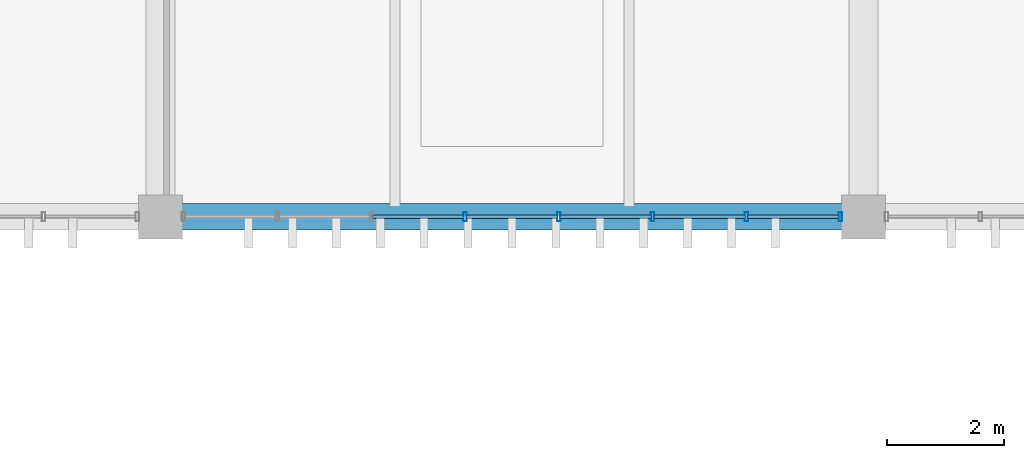
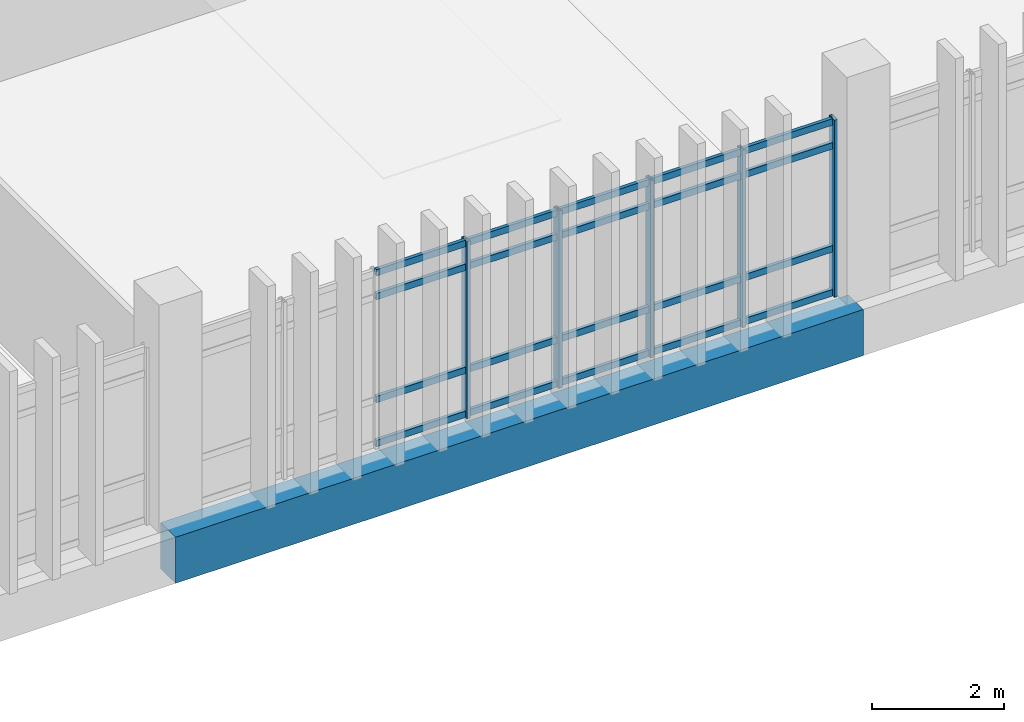
# One storey, part 75 of 161: 25 members, 1 beam, 1 element without a shape of its own.
"""IFC4 building model written with IfcOpenShell, lengths in metres."""

from ifc_helpers import new_model, si_unit, direction, frame, origin, origin_2d, place, context, subcontext, project, spatial, rectangle, hollow_rectangle, extrude, material, layer, layer_set, material_profile, profile_set, type_object, element, aggregate, save


model = new_model("IFC4")

# Units and contexts
model_context = context("Model", 3, precision=1e-05, world=origin(), true_north=direction((0.0, 1.0)))
body_context = subcontext(model_context, "Body", "Model", "MODEL_VIEW")
ifc_project = project(units=[si_unit("LENGTHUNIT", "METRE"), si_unit("AREAUNIT", "SQUARE_METRE"), si_unit("VOLUMEUNIT", "CUBIC_METRE"), si_unit("PLANEANGLEUNIT", "RADIAN"), si_unit("MASSUNIT", "GRAM", prefix="KILO")], contexts=[model_context])

# Site, building, storey
site_placement = place(None, origin())
site = spatial("IfcSite", under=ifc_project, at=site_placement, CompositionType="ELEMENT")
building_placement = place(site_placement, origin())
building = spatial("IfcBuilding", under=site, at=building_placement, Name="Mersad Railyard Sports Hall", CompositionType="ELEMENT")
storey_placement = place(building_placement, frame((0.0, 0.0, 4.800048828125)))
storey = spatial("IfcBuildingStorey", under=building, at=storey_placement, Name="L01", CompositionType="ELEMENT", Elevation=4.800048828125)

# Curtain wall, members
ifc_material_1 = material(Name="Aluminium 6063-T6", Category="aluminium")
ifc_layer = layer(ifc_material_1, 0.159912109375)
ifc_layer_set = layer_set([ifc_layer], Name="Aluminium 6063-T6")
curtain_wall_type = type_object("IfcCurtainWallType", Name="ARC-CW-CW37", PredefinedType="USERDEFINED", material=ifc_layer_set)
curtain_wall_placement = place(storey_placement, origin())
curtain_wall = element("IfcCurtainWall", 1, at=curtain_wall_placement, inside=storey, type_object=curtain_wall_type, Name="Curtain wall CW37-0106", ObjectType="CURTAIN WALL", PredefinedType="USERDEFINED")
ifc_material_profile_1 = material_profile(ifc_material_1, hollow_rectangle(XDim=0.06005859375, YDim=0.159912109375, WallThickness=0.00390625, at=origin_2d()), Name="AL MULLION 60x160x4")
ifc_profile_set_1 = profile_set([ifc_material_profile_1], Name="Aluminium 6063-T6")
member_type_1 = type_object("IfcMemberType", Name="ARC-CW-MUL01", PredefinedType="MULLION", material=ifc_profile_set_1)
member_1_placement = place(storey_placement, frame((78.60498046875, 85.0, -0.02001953125), z_axis=(0.0, 0.0, 1.0), x_axis=(1.0, 0.0, 0.0)))
member_1 = element("IfcMember", 2, at=member_1_placement, type_object=member_type_1, Name="CW37 Mullion 1", PredefinedType="MULLION", context=body_context, shape_type="SweptSolid", body=[
    extrude(hollow_rectangle(XDim=0.06005859375, YDim=0.159912109375, WallThickness=0.00390625, at=origin_2d()), origin(), (0.0, 0.0, 1.0), 3.27001953125),
])
member_2_placement = place(storey_placement, frame((77.003662109375, 85.0, -0.02001953125), z_axis=(0.0, 0.0, 1.0), x_axis=(1.0, 0.0, 0.0)))
member_2 = element("IfcMember", 3, at=member_2_placement, type_object=member_type_1, Name="CW37 Mullion 2", PredefinedType="MULLION", context=body_context, shape_type="SweptSolid", body=[
    extrude(hollow_rectangle(XDim=0.06005859375, YDim=0.159912109375, WallThickness=0.00390625, at=origin_2d()), origin(), (0.0, 0.0, 1.0), 3.27001953125),
])
member_3_placement = place(storey_placement, frame((75.402099609375, 85.0, -0.02001953125), z_axis=(0.0, 0.0, 1.0), x_axis=(1.0, 0.0, 0.0)))
member_3 = element("IfcMember", 4, at=member_3_placement, type_object=member_type_1, Name="CW37 Mullion 3", PredefinedType="MULLION", context=body_context, shape_type="SweptSolid", body=[
    extrude(hollow_rectangle(XDim=0.06005859375, YDim=0.159912109375, WallThickness=0.00390625, at=origin_2d()), origin(), (0.0, 0.0, 1.0), 3.27001953125),
])
member_4_placement = place(storey_placement, frame((73.80078125, 85.0, -0.02001953125), z_axis=(0.0, 0.0, 1.0), x_axis=(1.0, 0.0, 0.0)))
member_4 = element("IfcMember", 5, at=member_4_placement, type_object=member_type_1, Name="CW37 Mullion 4", PredefinedType="MULLION", context=body_context, shape_type="SweptSolid", body=[
    extrude(hollow_rectangle(XDim=0.06005859375, YDim=0.159912109375, WallThickness=0.00390625, at=origin_2d()), origin(), (0.0, 0.0, 1.0), 3.27001953125),
])
member_5_placement = place(storey_placement, frame((72.19921875, 85.0, -0.02001953125), z_axis=(0.0, 0.0, 1.0), x_axis=(1.0, 0.0, 0.0)))
member_5 = element("IfcMember", 6, at=member_5_placement, type_object=member_type_1, Name="CW37 Mullion 5", PredefinedType="MULLION", context=body_context, shape_type="SweptSolid", body=[
    extrude(hollow_rectangle(XDim=0.06005859375, YDim=0.159912109375, WallThickness=0.00390625, at=origin_2d()), origin(), (0.0, 0.0, 1.0), 3.27001953125),
])
ifc_material_profile_2 = material_profile(ifc_material_1, hollow_rectangle(XDim=0.06005859375, YDim=0.1201171875, WallThickness=0.00390625, at=origin_2d()), Name="AL TRANSOM 60x120x4")
ifc_profile_set_2 = profile_set([ifc_material_profile_2], Name="Aluminium 6063-T6")
member_type_2 = type_object("IfcMemberType", Name="ARC-CW-TRN01", PredefinedType="USERDEFINED", material=ifc_profile_set_2)
member_6_placement = place(storey_placement, frame((78.5849609375, 85.0, 0.0400390625), z_axis=(-1.0, 0.0, 0.0), x_axis=(0.0, -1.0, 0.0)))
member_6 = element("IfcMember", 7, at=member_6_placement, type_object=member_type_2, Name="CW37 Transom 1-1", ObjectType="TRANSOM", PredefinedType="USERDEFINED", context=body_context, shape_type="SweptSolid", body=[
    extrude(hollow_rectangle(XDim=0.06005859375, YDim=0.1201171875, WallThickness=0.00390625, at=origin_2d()), origin(), (0.0, 0.0, 1.0), 1.561279296875),
])
member_7_placement = place(storey_placement, frame((76.983642578125, 85.0, 0.0400390625), z_axis=(-1.0, 0.0, 0.0), x_axis=(0.0, -1.0, 0.0)))
member_7 = element("IfcMember", 8, at=member_7_placement, type_object=member_type_2, Name="CW37 Transom 1-2", ObjectType="TRANSOM", PredefinedType="USERDEFINED", context=body_context, shape_type="SweptSolid", body=[
    extrude(hollow_rectangle(XDim=0.06005859375, YDim=0.1201171875, WallThickness=0.00390625, at=origin_2d()), origin(), (0.0, 0.0, 1.0), 1.5615234375),
])
member_8_placement = place(storey_placement, frame((75.382080078125, 85.0, 0.0400390625), z_axis=(-1.0, 0.0, 0.0), x_axis=(0.0, -1.0, 0.0)))
member_8 = element("IfcMember", 9, at=member_8_placement, type_object=member_type_2, Name="CW37 Transom 1-3", ObjectType="TRANSOM", PredefinedType="USERDEFINED", context=body_context, shape_type="SweptSolid", body=[
    extrude(hollow_rectangle(XDim=0.06005859375, YDim=0.1201171875, WallThickness=0.00390625, at=origin_2d()), origin(), (0.0, 0.0, 1.0), 1.561279296875),
])
member_9_placement = place(storey_placement, frame((73.78076171875, 85.0, 0.0400390625), z_axis=(-1.0, 0.0, 0.0), x_axis=(0.0, -1.0, 0.0)))
member_9 = element("IfcMember", 10, at=member_9_placement, type_object=member_type_2, Name="CW37 Transom 1-4", ObjectType="TRANSOM", PredefinedType="USERDEFINED", context=body_context, shape_type="SweptSolid", body=[
    extrude(hollow_rectangle(XDim=0.06005859375, YDim=0.1201171875, WallThickness=0.00390625, at=origin_2d()), origin(), (0.0, 0.0, 1.0), 1.5615234375),
])
member_10_placement = place(storey_placement, frame((72.17919921875, 85.0, 0.0400390625), z_axis=(-1.0, 0.0, 0.0), x_axis=(0.0, -1.0, 0.0)))
member_10 = element("IfcMember", 11, at=member_10_placement, type_object=member_type_2, Name="CW37 Transom 1-5", ObjectType="TRANSOM", PredefinedType="USERDEFINED", context=body_context, shape_type="SweptSolid", body=[
    extrude(hollow_rectangle(XDim=0.06005859375, YDim=0.1201171875, WallThickness=0.00390625, at=origin_2d()), origin(), (0.0, 0.0, 1.0), 1.561279296875),
])
member_11_placement = place(storey_placement, frame((78.5849609375, 85.0, 0.849853515625), z_axis=(-1.0, 0.0, 0.0), x_axis=(0.0, -1.0, 0.0)))
member_11 = element("IfcMember", 12, at=member_11_placement, type_object=member_type_2, Name="CW37 Transom 2-1", ObjectType="TRANSOM", PredefinedType="USERDEFINED", context=body_context, shape_type="SweptSolid", body=[
    extrude(hollow_rectangle(XDim=0.06005859375, YDim=0.1201171875, WallThickness=0.00390625, at=origin_2d()), origin(), (0.0, 0.0, 1.0), 1.561279296875),
])
member_12_placement = place(storey_placement, frame((76.983642578125, 85.0, 0.849853515625), z_axis=(-1.0, 0.0, 0.0), x_axis=(0.0, -1.0, 0.0)))
member_12 = element("IfcMember", 13, at=member_12_placement, type_object=member_type_2, Name="CW37 Transom 2-2", ObjectType="TRANSOM", PredefinedType="USERDEFINED", context=body_context, shape_type="SweptSolid", body=[
    extrude(hollow_rectangle(XDim=0.06005859375, YDim=0.1201171875, WallThickness=0.00390625, at=origin_2d()), origin(), (0.0, 0.0, 1.0), 1.5615234375),
])
member_13_placement = place(storey_placement, frame((75.382080078125, 85.0, 0.849853515625), z_axis=(-1.0, 0.0, 0.0), x_axis=(0.0, -1.0, 0.0)))
member_13 = element("IfcMember", 14, at=member_13_placement, type_object=member_type_2, Name="CW37 Transom 2-3", ObjectType="TRANSOM", PredefinedType="USERDEFINED", context=body_context, shape_type="SweptSolid", body=[
    extrude(hollow_rectangle(XDim=0.06005859375, YDim=0.1201171875, WallThickness=0.00390625, at=origin_2d()), origin(), (0.0, 0.0, 1.0), 1.561279296875),
])
member_14_placement = place(storey_placement, frame((73.78076171875, 85.0, 0.849853515625), z_axis=(-1.0, 0.0, 0.0), x_axis=(0.0, -1.0, 0.0)))
member_14 = element("IfcMember", 15, at=member_14_placement, type_object=member_type_2, Name="CW37 Transom 2-4", ObjectType="TRANSOM", PredefinedType="USERDEFINED", context=body_context, shape_type="SweptSolid", body=[
    extrude(hollow_rectangle(XDim=0.06005859375, YDim=0.1201171875, WallThickness=0.00390625, at=origin_2d()), origin(), (0.0, 0.0, 1.0), 1.5615234375),
])
member_15_placement = place(storey_placement, frame((72.17919921875, 85.0, 0.849853515625), z_axis=(-1.0, 0.0, 0.0), x_axis=(0.0, -1.0, 0.0)))
member_15 = element("IfcMember", 16, at=member_15_placement, type_object=member_type_2, Name="CW37 Transom 2-5", ObjectType="TRANSOM", PredefinedType="USERDEFINED", context=body_context, shape_type="SweptSolid", body=[
    extrude(hollow_rectangle(XDim=0.06005859375, YDim=0.1201171875, WallThickness=0.00390625, at=origin_2d()), origin(), (0.0, 0.0, 1.0), 1.561279296875),
])
member_16_placement = place(storey_placement, frame((78.5849609375, 85.0, 2.75), z_axis=(-1.0, 0.0, 0.0), x_axis=(0.0, -1.0, 0.0)))
member_16 = element("IfcMember", 17, at=member_16_placement, type_object=member_type_2, Name="CW37 Transom 3-1", ObjectType="TRANSOM", PredefinedType="USERDEFINED", context=body_context, shape_type="SweptSolid", body=[
    extrude(hollow_rectangle(XDim=0.06005859375, YDim=0.1201171875, WallThickness=0.00390625, at=origin_2d()), origin(), (0.0, 0.0, 1.0), 1.561279296875),
])
member_17_placement = place(storey_placement, frame((76.983642578125, 85.0, 2.75), z_axis=(-1.0, 0.0, 0.0), x_axis=(0.0, -1.0, 0.0)))
member_17 = element("IfcMember", 18, at=member_17_placement, type_object=member_type_2, Name="CW37 Transom 3-2", ObjectType="TRANSOM", PredefinedType="USERDEFINED", context=body_context, shape_type="SweptSolid", body=[
    extrude(hollow_rectangle(XDim=0.06005859375, YDim=0.1201171875, WallThickness=0.00390625, at=origin_2d()), origin(), (0.0, 0.0, 1.0), 1.5615234375),
])
member_18_placement = place(storey_placement, frame((75.382080078125, 85.0, 2.75), z_axis=(-1.0, 0.0, 0.0), x_axis=(0.0, -1.0, 0.0)))
member_18 = element("IfcMember", 19, at=member_18_placement, type_object=member_type_2, Name="CW37 Transom 3-3", ObjectType="TRANSOM", PredefinedType="USERDEFINED", context=body_context, shape_type="SweptSolid", body=[
    extrude(hollow_rectangle(XDim=0.06005859375, YDim=0.1201171875, WallThickness=0.00390625, at=origin_2d()), origin(), (0.0, 0.0, 1.0), 1.561279296875),
])
member_19_placement = place(storey_placement, frame((73.78076171875, 85.0, 2.75), z_axis=(-1.0, 0.0, 0.0), x_axis=(0.0, -1.0, 0.0)))
member_19 = element("IfcMember", 20, at=member_19_placement, type_object=member_type_2, Name="CW37 Transom 3-4", ObjectType="TRANSOM", PredefinedType="USERDEFINED", context=body_context, shape_type="SweptSolid", body=[
    extrude(hollow_rectangle(XDim=0.06005859375, YDim=0.1201171875, WallThickness=0.00390625, at=origin_2d()), origin(), (0.0, 0.0, 1.0), 1.5615234375),
])
member_20_placement = place(storey_placement, frame((72.17919921875, 85.0, 2.75), z_axis=(-1.0, 0.0, 0.0), x_axis=(0.0, -1.0, 0.0)))
member_20 = element("IfcMember", 21, at=member_20_placement, type_object=member_type_2, Name="CW37 Transom 3-5", ObjectType="TRANSOM", PredefinedType="USERDEFINED", context=body_context, shape_type="SweptSolid", body=[
    extrude(hollow_rectangle(XDim=0.06005859375, YDim=0.1201171875, WallThickness=0.00390625, at=origin_2d()), origin(), (0.0, 0.0, 1.0), 1.561279296875),
])
member_21_placement = place(storey_placement, frame((78.5849609375, 85.0, 3.18994140625), z_axis=(-1.0, 0.0, 0.0), x_axis=(0.0, -1.0, 0.0)))
member_21 = element("IfcMember", 22, at=member_21_placement, type_object=member_type_2, Name="CW37 Transom 4-1", ObjectType="TRANSOM", PredefinedType="USERDEFINED", context=body_context, shape_type="SweptSolid", body=[
    extrude(hollow_rectangle(XDim=0.06005859375, YDim=0.1201171875, WallThickness=0.00390625, at=origin_2d()), origin(), (0.0, 0.0, 1.0), 1.561279296875),
])
member_22_placement = place(storey_placement, frame((76.983642578125, 85.0, 3.18994140625), z_axis=(-1.0, 0.0, 0.0), x_axis=(0.0, -1.0, 0.0)))
member_22 = element("IfcMember", 23, at=member_22_placement, type_object=member_type_2, Name="CW37 Transom 4-2", ObjectType="TRANSOM", PredefinedType="USERDEFINED", context=body_context, shape_type="SweptSolid", body=[
    extrude(hollow_rectangle(XDim=0.06005859375, YDim=0.1201171875, WallThickness=0.00390625, at=origin_2d()), origin(), (0.0, 0.0, 1.0), 1.5615234375),
])
member_23_placement = place(storey_placement, frame((75.382080078125, 85.0, 3.18994140625), z_axis=(-1.0, 0.0, 0.0), x_axis=(0.0, -1.0, 0.0)))
member_23 = element("IfcMember", 24, at=member_23_placement, type_object=member_type_2, Name="CW37 Transom 4-3", ObjectType="TRANSOM", PredefinedType="USERDEFINED", context=body_context, shape_type="SweptSolid", body=[
    extrude(hollow_rectangle(XDim=0.06005859375, YDim=0.1201171875, WallThickness=0.00390625, at=origin_2d()), origin(), (0.0, 0.0, 1.0), 1.561279296875),
])
member_24_placement = place(storey_placement, frame((73.78076171875, 85.0, 3.18994140625), z_axis=(-1.0, 0.0, 0.0), x_axis=(0.0, -1.0, 0.0)))
member_24 = element("IfcMember", 25, at=member_24_placement, type_object=member_type_2, Name="CW37 Transom 4-4", ObjectType="TRANSOM", PredefinedType="USERDEFINED", context=body_context, shape_type="SweptSolid", body=[
    extrude(hollow_rectangle(XDim=0.06005859375, YDim=0.1201171875, WallThickness=0.00390625, at=origin_2d()), origin(), (0.0, 0.0, 1.0), 1.5615234375),
])
member_25_placement = place(storey_placement, frame((72.17919921875, 85.0, 3.18994140625), z_axis=(-1.0, 0.0, 0.0), x_axis=(0.0, -1.0, 0.0)))
member_25 = element("IfcMember", 26, at=member_25_placement, type_object=member_type_2, Name="CW37 Transom 4-5", ObjectType="TRANSOM", PredefinedType="USERDEFINED", context=body_context, shape_type="SweptSolid", body=[
    extrude(hollow_rectangle(XDim=0.06005859375, YDim=0.1201171875, WallThickness=0.00390625, at=origin_2d()), origin(), (0.0, 0.0, 1.0), 1.561279296875),
])
aggregate(curtain_wall, [member_1, member_2, member_3, member_4, member_5, member_6, member_7, member_8, member_9, member_10, member_11, member_12, member_13, member_14, member_15, member_16, member_17, member_18, member_19, member_20, member_21, member_22, member_23, member_24, member_25])

# Beam
ifc_material_2 = material(Name="Concrete C40/50", Category="concrete")
ifc_material_profile_3 = material_profile(ifc_material_2, rectangle(XDim=0.449951171875, YDim=0.85009765625, at=origin_2d()), Name="RC 450x850")
ifc_profile_set_3 = profile_set([ifc_material_profile_3], Name="Concrete C40/50")
beam_type = type_object("IfcBeamType", Name="STR-BM-B02", PredefinedType="BEAM", material=ifc_profile_set_3)
beam_placement = place(storey_placement, frame((67.0, 85.0, -0.72509765625), z_axis=(1.0, 0.0, 0.0), x_axis=(0.0, 1.0, 0.0)))
element("IfcBeam", 27, at=beam_placement, inside=storey, type_object=beam_type, Name="Beam B02-0926", PredefinedType="BEAM", context=body_context, shape_type="SweptSolid", body=[
    extrude(rectangle(XDim=0.449951171875, YDim=0.85009765625, at=origin_2d()), origin(), (0.0, 0.0, 1.0), 12.0),
])

save(model, "model.ifc")
